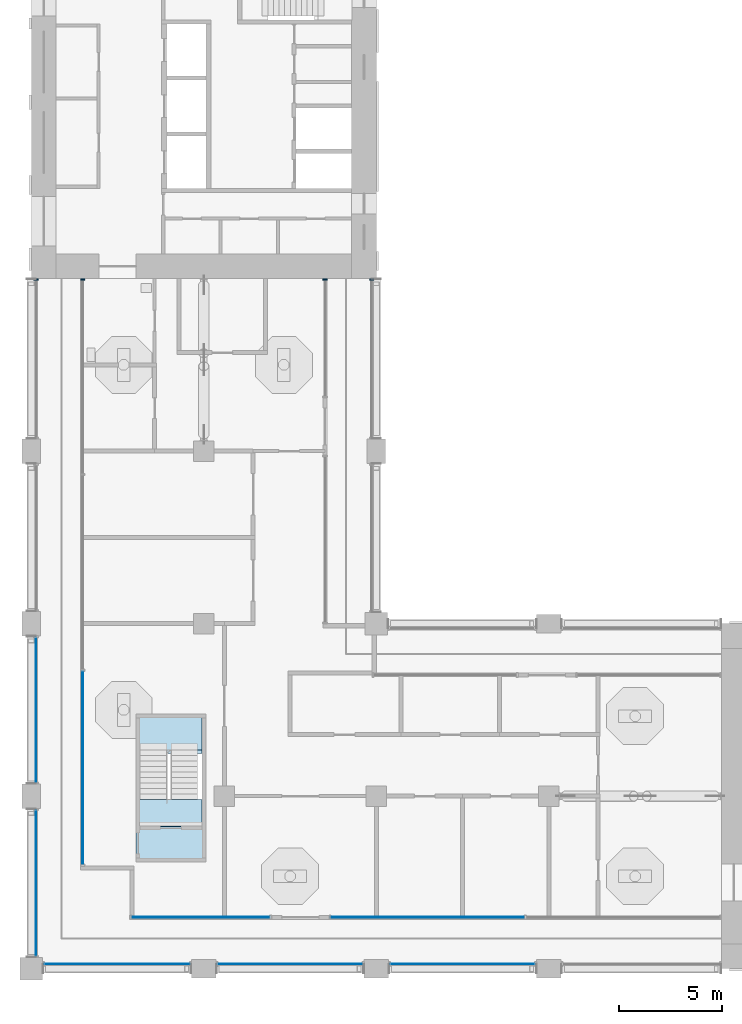
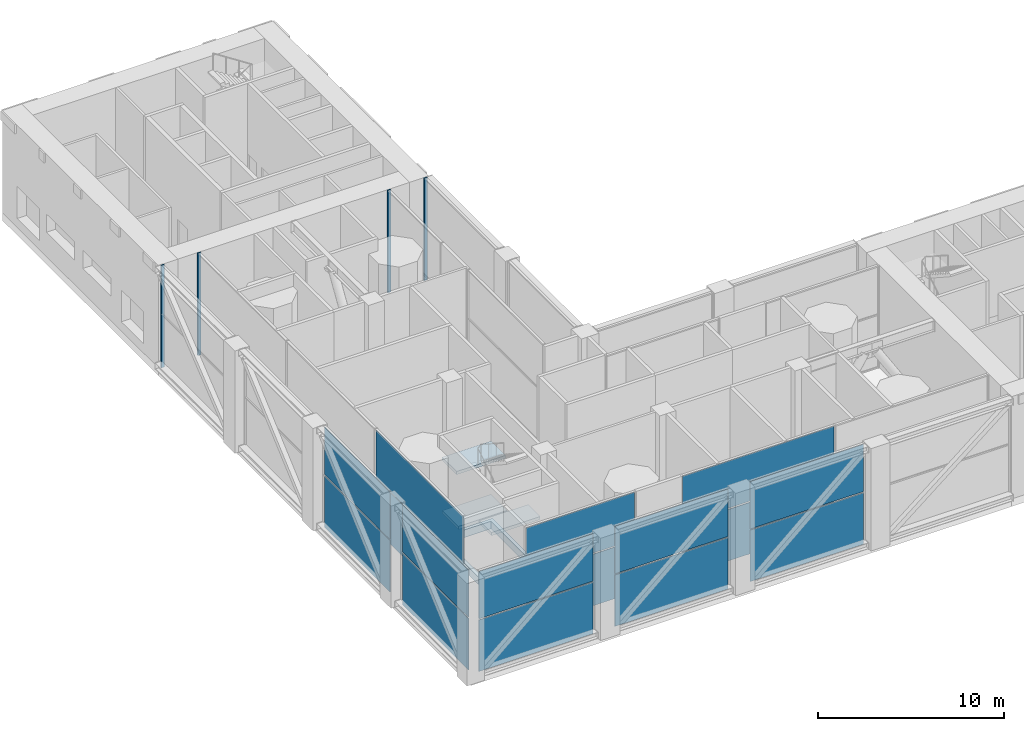
# One storey, part 5 of 20: 16 plates, 4 members, 4 slabs, 12 elements without a shape of their own.
"""IFC4 building model written with IfcOpenShell, lengths in metres."""

from ifc_helpers import new_model, si_unit, direction, frame, origin, origin_2d, place, context, subcontext, project, spatial, polyline, rectangle, outline, extrude, material, layer, layer_set, material_profile, profile_set, type_object, element, aggregate, save


model = new_model("IFC4")

# Units and contexts
model_context = context("Model", 3, precision=1e-05, world=origin(), true_north=direction((0.0, 1.0)))
body_context = subcontext(model_context, "Body", "Model", "MODEL_VIEW")
ifc_project = project(units=[si_unit("LENGTHUNIT", "METRE"), si_unit("AREAUNIT", "SQUARE_METRE"), si_unit("VOLUMEUNIT", "CUBIC_METRE"), si_unit("PLANEANGLEUNIT", "RADIAN"), si_unit("MASSUNIT", "GRAM", prefix="KILO")], contexts=[model_context])

# Site, building, storey
site_placement = place(None, origin())
site = spatial("IfcSite", under=ifc_project, at=site_placement, CompositionType="ELEMENT")
building_placement = place(site_placement, origin())
building = spatial("IfcBuilding", under=site, at=building_placement, Name="Vermilion Gate Residences", CompositionType="ELEMENT")
storey_placement = place(building_placement, frame((0.0, 0.0, 207.199951171875)))
storey = spatial("IfcBuildingStorey", under=building, at=storey_placement, Name="L54", CompositionType="ELEMENT", Elevation=207.199951171875)

# Curtain wall, member
ifc_material_1 = material(Name="Aluminium and glass", Category="aluminium")
curtain_wall_type = type_object("IfcCurtainWallType", Name="SKY GARDEN GLAZING CURTAIN WALL", PredefinedType="NOTDEFINED", material=ifc_material_1)
curtain_wall_1_placement = place(storey_placement, origin())
curtain_wall_1 = element("IfcCurtainWall", 1, at=curtain_wall_1_placement, inside=storey, type_object=curtain_wall_type, Name="Sky Garden Glazing 0", PredefinedType="NOTDEFINED")
ifc_material_2 = material(Name="Aluminium", Category="aluminium")
ifc_material_profile = material_profile(ifc_material_2, rectangle(XDim=0.199951171875, YDim=0.080078125, at=origin_2d()), Name="MULLION 80 X 200")
ifc_profile_set = profile_set([ifc_material_profile], Name="Aluminium")
member_type = type_object("IfcMemberType", Name="SKY GARDEN GLAZING MULLION 80 X 200", PredefinedType="MULLION", material=ifc_profile_set)
member_1_placement = place(storey_placement, frame((10.89990234375, 41.9599609375, 0.0), z_axis=(0.0, 0.0, 1.0), x_axis=(1.0, 0.0, 0.0)))
member_1 = element("IfcMember", 2, at=member_1_placement, type_object=member_type, Name="ECW3 mullion 1", PredefinedType="MULLION", context=body_context, shape_type="SweptSolid", body=[
    extrude(rectangle(XDim=0.199951171875, YDim=0.080078125, at=origin_2d()), origin(), (0.0, 0.0, 1.0), 6.719970703125),
])

curtain_wall_2_placement = place(storey_placement, origin())
curtain_wall_2 = element("IfcCurtainWall", 3, at=curtain_wall_2_placement, inside=storey, type_object=curtain_wall_type, Name="Sky Garden Glazing 72", PredefinedType="NOTDEFINED")
member_2_placement = place(storey_placement, frame((22.699951171875, 41.9599609375, 0.0), z_axis=(0.0, 0.0, 1.0), x_axis=(-1.0, 0.0, 0.0)))
member_2 = element("IfcMember", 4, at=member_2_placement, type_object=member_type, Name="ECW3 mullion 2", PredefinedType="MULLION", context=body_context, shape_type="SweptSolid", body=[
    extrude(rectangle(XDim=0.199951171875, YDim=0.080078125, at=origin_2d()), origin(), (0.0, 0.0, 1.0), 6.719970703125),
])
aggregate(curtain_wall_2, [member_2])

curtain_wall_3_placement = place(storey_placement, origin())
curtain_wall_3 = element("IfcCurtainWall", 5, at=curtain_wall_3_placement, inside=storey, type_object=curtain_wall_type, Name="Sky Garden Glazing 500", PredefinedType="NOTDEFINED")
member_3_placement = place(storey_placement, frame((8.6298828125, 41.9599609375, 0.0), z_axis=(0.0, 0.0, 1.0), x_axis=(1.0, 0.0, 0.0)))
member_3 = element("IfcMember", 6, at=member_3_placement, type_object=member_type, Name="ECW3 mullion 1", PredefinedType="MULLION", context=body_context, shape_type="SweptSolid", body=[
    extrude(rectangle(XDim=0.199951171875, YDim=0.080078125, at=origin_2d()), origin(), (0.0, 0.0, 1.0), 6.719970703125),
])
aggregate(curtain_wall_3, [member_3])

curtain_wall_4_placement = place(storey_placement, origin())
curtain_wall_4 = element("IfcCurtainWall", 7, at=curtain_wall_4_placement, inside=storey, type_object=curtain_wall_type, Name="Sky Garden Glazing 511", PredefinedType="NOTDEFINED")
member_4_placement = place(storey_placement, frame((24.969970703125, 41.9599609375, 0.0), z_axis=(0.0, 0.0, 1.0), x_axis=(-1.0, 0.0, 0.0)))
member_4 = element("IfcMember", 8, at=member_4_placement, type_object=member_type, Name="ECW3 mullion 2", PredefinedType="MULLION", context=body_context, shape_type="SweptSolid", body=[
    extrude(rectangle(XDim=0.199951171875, YDim=0.080078125, at=origin_2d()), origin(), (0.0, 0.0, 1.0), 6.719970703125),
])
aggregate(curtain_wall_4, [member_4])

# Slab
ifc_material_3 = material(Name="Concrete C50", Category="concrete")
ifc_layer_1 = layer(ifc_material_3, 0.5)
ifc_layer_set_1 = layer_set([ifc_layer_1], Name="RC CORE FLOOR SLAB 500 C50")
slab_type_1 = type_object("IfcSlabType", Name="RC CORE FLOOR SLAB 500 C50", PredefinedType="FLOOR", material=ifc_layer_set_1)
slab_1_placement = place(storey_placement, frame((0.0, 0.0, -0.5)))
element("IfcSlab", 9, at=slab_1_placement, inside=storey, type_object=slab_type_1, Name="Apex stair floor slab 54", PredefinedType="FLOOR", context=body_context, shape_type="SweptSolid", body=[
    extrude(outline(polyline([(13.5, 13.60009765625), (16.89990234375, 13.60009765625), (16.89990234375, 20.800048828125), (13.5, 20.800048828125), (13.5, 13.60009765625)]), holes=[polyline([(16.699951171875, 20.60009765625), (16.699951171875, 16.449951171875), (13.699951171875, 16.449951171875), (13.699951171875, 20.60009765625), (16.699951171875, 20.60009765625)])]), origin(), (0.0, 0.0, 1.0), 0.5),
])

# Plate
ifc_material_4 = material(Name="Clear laminated glass", Category="glass")
ifc_layer_2 = layer(ifc_material_4, 0.035888671875)
ifc_layer_set_2 = layer_set([ifc_layer_2], Name="SKY GARDEN GLAZING GLASS PANEL 36")
plate_type = type_object("IfcPlateType", Name="SKY GARDEN GLAZING GLASS PANEL 36", PredefinedType="CURTAIN_PANEL", material=ifc_layer_set_2)
plate_1_placement = place(storey_placement, frame((10.89990234375, 18.186767578125, 0.080078125), z_axis=(0.0, 0.0, 1.0), x_axis=(0.0, -1.0, 0.0)))
plate_1 = element("IfcPlate", 10, at=plate_1_placement, type_object=plate_type, Name="ECW3 panel 3.1", PredefinedType="CURTAIN_PANEL", context=body_context, shape_type="SweptSolid", body=[
    extrude(rectangle(XDim=9.413330078125, YDim=0.035888671875, at=origin_2d()), origin(), (0.0, 0.0, 1.0), 3.3798828125),
])

plate_2_placement = place(storey_placement, frame((10.89990234375, 18.186767578125, 3.5400390625), z_axis=(0.0, 0.0, 1.0), x_axis=(0.0, -1.0, 0.0)))
plate_2 = element("IfcPlate", 11, at=plate_2_placement, type_object=plate_type, Name="ECW3 panel 3.2", PredefinedType="CURTAIN_PANEL", context=body_context, shape_type="SweptSolid", body=[
    extrude(rectangle(XDim=9.413330078125, YDim=0.035888671875, at=origin_2d()), origin(), (0.0, 0.0, 1.0), 3.10009765625),
])

aggregate(curtain_wall_1, [member_1, plate_1, plate_2])

# Curtain wall, plates
curtain_wall_5_placement = place(storey_placement, origin())
curtain_wall_5 = element("IfcCurtainWall", 12, at=curtain_wall_5_placement, inside=storey, type_object=curtain_wall_type, Name="Sky Garden Glazing 30", PredefinedType="NOTDEFINED")
plate_3_placement = place(storey_placement, frame((16.64990234375, 10.89990234375, 0.080078125), z_axis=(0.0, 0.0, 1.0), x_axis=(1.0, 0.0, 0.0)))
plate_3 = element("IfcPlate", 13, at=plate_3_placement, type_object=plate_type, Name="ECW3 panel 1.1", PredefinedType="CURTAIN_PANEL", context=body_context, shape_type="SweptSolid", body=[
    extrude(rectangle(XDim=6.739990234375, YDim=0.035888671875, at=origin_2d()), origin(), (0.0, 0.0, 1.0), 3.3798828125),
])
plate_4_placement = place(storey_placement, frame((16.64990234375, 10.89990234375, 3.5400390625), z_axis=(0.0, 0.0, 1.0), x_axis=(1.0, 0.0, 0.0)))
plate_4 = element("IfcPlate", 14, at=plate_4_placement, type_object=plate_type, Name="ECW3 panel 1.2", PredefinedType="CURTAIN_PANEL", context=body_context, shape_type="SweptSolid", body=[
    extrude(rectangle(XDim=6.739990234375, YDim=0.035888671875, at=origin_2d()), origin(), (0.0, 0.0, 1.0), 3.10009765625),
])
aggregate(curtain_wall_5, [plate_3, plate_4])

curtain_wall_6_placement = place(storey_placement, origin())
curtain_wall_6 = element("IfcCurtainWall", 15, at=curtain_wall_6_placement, inside=storey, type_object=curtain_wall_type, Name="Sky Garden Glazing 32", PredefinedType="NOTDEFINED")
plate_5_placement = place(storey_placement, frame((27.695068359375, 10.89990234375, 0.080078125), z_axis=(0.0, 0.0, 1.0), x_axis=(1.0, 0.0, 0.0)))
plate_5 = element("IfcPlate", 16, at=plate_5_placement, type_object=plate_type, Name="ECW3 panel 1.1", PredefinedType="CURTAIN_PANEL", context=body_context, shape_type="SweptSolid", body=[
    extrude(rectangle(XDim=9.429931640625, YDim=0.035888671875, at=origin_2d()), origin(), (0.0, 0.0, 1.0), 3.3798828125),
])
plate_6_placement = place(storey_placement, frame((27.695068359375, 10.89990234375, 3.5400390625), z_axis=(0.0, 0.0, 1.0), x_axis=(1.0, 0.0, 0.0)))
plate_6 = element("IfcPlate", 17, at=plate_6_placement, type_object=plate_type, Name="ECW3 panel 1.2", PredefinedType="CURTAIN_PANEL", context=body_context, shape_type="SweptSolid", body=[
    extrude(rectangle(XDim=9.429931640625, YDim=0.035888671875, at=origin_2d()), origin(), (0.0, 0.0, 1.0), 3.10009765625),
])
aggregate(curtain_wall_6, [plate_5, plate_6])

curtain_wall_7_placement = place(storey_placement, origin())
curtain_wall_7 = element("IfcCurtainWall", 18, at=curtain_wall_7_placement, inside=storey, type_object=curtain_wall_type, Name="Sky Garden Glazing 502", PredefinedType="NOTDEFINED")
plate_7_placement = place(storey_placement, frame((8.6298828125, 21.0, 0.080078125), z_axis=(0.0, 0.0, 1.0), x_axis=(0.0, -1.0, 0.0)))
plate_7 = element("IfcPlate", 19, at=plate_7_placement, type_object=plate_type, Name="ECW3 panel 1.1", PredefinedType="CURTAIN_PANEL", context=body_context, shape_type="SweptSolid", body=[
    extrude(rectangle(XDim=7.0400390625, YDim=0.035888671875, at=origin_2d()), origin(), (0.0, 0.0, 1.0), 3.3798828125),
])
plate_8_placement = place(storey_placement, frame((8.6298828125, 21.0, 3.5400390625), z_axis=(0.0, 0.0, 1.0), x_axis=(0.0, -1.0, 0.0)))
plate_8 = element("IfcPlate", 20, at=plate_8_placement, type_object=plate_type, Name="ECW3 panel 1.2", PredefinedType="CURTAIN_PANEL", context=body_context, shape_type="SweptSolid", body=[
    extrude(rectangle(XDim=7.0400390625, YDim=0.035888671875, at=origin_2d()), origin(), (0.0, 0.0, 1.0), 3.10009765625),
])
aggregate(curtain_wall_7, [plate_7, plate_8])

curtain_wall_8_placement = place(storey_placement, origin())
curtain_wall_8 = element("IfcCurtainWall", 21, at=curtain_wall_8_placement, inside=storey, type_object=curtain_wall_type, Name="Sky Garden Glazing 503", PredefinedType="NOTDEFINED")
plate_9_placement = place(storey_placement, frame((8.6298828125, 12.574951171875, 0.080078125), z_axis=(0.0, 0.0, 1.0), x_axis=(0.0, -1.0, 0.0)))
plate_9 = element("IfcPlate", 22, at=plate_9_placement, type_object=plate_type, Name="ECW3 panel 1.1", PredefinedType="CURTAIN_PANEL", context=body_context, shape_type="SweptSolid", body=[
    extrude(rectangle(XDim=7.090087890625, YDim=0.035888671875, at=origin_2d()), origin(), (0.0, 0.0, 1.0), 3.3798828125),
])
plate_10_placement = place(storey_placement, frame((8.6298828125, 12.574951171875, 3.5400390625), z_axis=(0.0, 0.0, 1.0), x_axis=(0.0, -1.0, 0.0)))
plate_10 = element("IfcPlate", 23, at=plate_10_placement, type_object=plate_type, Name="ECW3 panel 1.2", PredefinedType="CURTAIN_PANEL", context=body_context, shape_type="SweptSolid", body=[
    extrude(rectangle(XDim=7.090087890625, YDim=0.035888671875, at=origin_2d()), origin(), (0.0, 0.0, 1.0), 3.10009765625),
])
aggregate(curtain_wall_8, [plate_9, plate_10])

curtain_wall_9_placement = place(storey_placement, origin())
curtain_wall_9 = element("IfcCurtainWall", 24, at=curtain_wall_9_placement, inside=storey, type_object=curtain_wall_type, Name="Sky Garden Glazing 504", PredefinedType="NOTDEFINED")
plate_11_placement = place(storey_placement, frame((12.574951171875, 8.6298828125, 0.080078125), z_axis=(0.0, 0.0, 1.0), x_axis=(1.0, 0.0, 0.0)))
plate_11 = element("IfcPlate", 25, at=plate_11_placement, type_object=plate_type, Name="ECW3 panel 1.1", PredefinedType="CURTAIN_PANEL", context=body_context, shape_type="SweptSolid", body=[
    extrude(rectangle(XDim=7.090087890625, YDim=0.035888671875, at=origin_2d()), origin(), (0.0, 0.0, 1.0), 3.3798828125),
])
plate_12_placement = place(storey_placement, frame((12.574951171875, 8.6298828125, 3.5400390625), z_axis=(0.0, 0.0, 1.0), x_axis=(1.0, 0.0, 0.0)))
plate_12 = element("IfcPlate", 26, at=plate_12_placement, type_object=plate_type, Name="ECW3 panel 1.2", PredefinedType="CURTAIN_PANEL", context=body_context, shape_type="SweptSolid", body=[
    extrude(rectangle(XDim=7.090087890625, YDim=0.035888671875, at=origin_2d()), origin(), (0.0, 0.0, 1.0), 3.10009765625),
])
aggregate(curtain_wall_9, [plate_11, plate_12])

curtain_wall_10_placement = place(storey_placement, origin())
curtain_wall_10 = element("IfcCurtainWall", 27, at=curtain_wall_10_placement, inside=storey, type_object=curtain_wall_type, Name="Sky Garden Glazing 505", PredefinedType="NOTDEFINED")
plate_13_placement = place(storey_placement, frame((21.0, 8.6298828125, 0.080078125), z_axis=(0.0, 0.0, 1.0), x_axis=(1.0, 0.0, 0.0)))
plate_13 = element("IfcPlate", 28, at=plate_13_placement, type_object=plate_type, Name="ECW3 panel 1.1", PredefinedType="CURTAIN_PANEL", context=body_context, shape_type="SweptSolid", body=[
    extrude(rectangle(XDim=7.0400390625, YDim=0.035888671875, at=origin_2d()), origin(), (0.0, 0.0, 1.0), 3.3798828125),
])
plate_14_placement = place(storey_placement, frame((21.0, 8.6298828125, 3.5400390625), z_axis=(0.0, 0.0, 1.0), x_axis=(1.0, 0.0, 0.0)))
plate_14 = element("IfcPlate", 29, at=plate_14_placement, type_object=plate_type, Name="ECW3 panel 1.2", PredefinedType="CURTAIN_PANEL", context=body_context, shape_type="SweptSolid", body=[
    extrude(rectangle(XDim=7.0400390625, YDim=0.035888671875, at=origin_2d()), origin(), (0.0, 0.0, 1.0), 3.10009765625),
])
aggregate(curtain_wall_10, [plate_13, plate_14])

curtain_wall_11_placement = place(storey_placement, origin())
curtain_wall_11 = element("IfcCurtainWall", 30, at=curtain_wall_11_placement, inside=storey, type_object=curtain_wall_type, Name="Sky Garden Glazing 506", PredefinedType="NOTDEFINED")
plate_15_placement = place(storey_placement, frame((29.39990234375, 8.6298828125, 0.080078125), z_axis=(0.0, 0.0, 1.0), x_axis=(1.0, 0.0, 0.0)))
plate_15 = element("IfcPlate", 31, at=plate_15_placement, type_object=plate_type, Name="ECW3 panel 1.1", PredefinedType="CURTAIN_PANEL", context=body_context, shape_type="SweptSolid", body=[
    extrude(rectangle(XDim=7.0400390625, YDim=0.035888671875, at=origin_2d()), origin(), (0.0, 0.0, 1.0), 3.3798828125),
])
plate_16_placement = place(storey_placement, frame((29.39990234375, 8.6298828125, 3.5400390625), z_axis=(0.0, 0.0, 1.0), x_axis=(1.0, 0.0, 0.0)))
plate_16 = element("IfcPlate", 32, at=plate_16_placement, type_object=plate_type, Name="ECW3 panel 1.2", PredefinedType="CURTAIN_PANEL", context=body_context, shape_type="SweptSolid", body=[
    extrude(rectangle(XDim=7.0400390625, YDim=0.035888671875, at=origin_2d()), origin(), (0.0, 0.0, 1.0), 3.10009765625),
])
aggregate(curtain_wall_11, [plate_15, plate_16])

# Stair, slabs
ifc_material_5 = material(Name="Concrete C50", Category="concrete")
stair_type = type_object("IfcStairType", Name="SPECIAL ESCAPE STAIR 1300", PredefinedType="HALF_TURN_STAIR", material=ifc_material_5)
stair_placement = place(storey_placement, origin())
stair = element("IfcStair", 33, at=stair_placement, inside=storey, type_object=stair_type, Name="Special escape stair STC1-54", PredefinedType="HALF_TURN_STAIR")
ifc_material_6 = material(Name="Concrete C50", Category="concrete")
ifc_layer_3 = layer(ifc_material_6, 0.199951171875)
ifc_layer_set_3 = layer_set([ifc_layer_3], Name="STAIR LANDING 200 C50")
slab_type_2 = type_object("IfcSlabType", Name="STAIR LANDING 200 C50", PredefinedType="LANDING", material=ifc_layer_set_3)
slab_2_placement = place(storey_placement, frame((0.0, 0.0, 1.550048828125)))
slab_2 = element("IfcSlab", 34, at=slab_2_placement, type_object=slab_type_2, Name="STC1-54 landing 1", PredefinedType="LANDING", context=body_context, shape_type="SweptSolid", body=[
    extrude(outline(polyline([(16.719970703125, 18.8798828125), (16.719970703125, 20.6201171875), (13.679931640625, 20.6201171875), (13.679931640625, 18.8798828125), (16.719970703125, 18.8798828125)])), origin(), (0.0, 0.0, 1.0), 0.199951171875),
])
slab_3_placement = place(storey_placement, frame((0.0, 0.0, 3.300048828125)))
slab_3 = element("IfcSlab", 35, at=slab_3_placement, type_object=slab_type_2, Name="STC1-54 landing 2", PredefinedType="LANDING", context=body_context, shape_type="SweptSolid", body=[
    extrude(outline(polyline([(16.719970703125, 15.330078125), (16.719970703125, 16.6298828125), (13.679931640625, 16.6298828125), (13.679931640625, 15.330078125), (16.719970703125, 15.330078125)])), origin(), (0.0, 0.0, 1.0), 0.199951171875),
])
slab_4_placement = place(storey_placement, frame((0.0, 0.0, 5.050048828125)))
slab_4 = element("IfcSlab", 36, at=slab_4_placement, type_object=slab_type_2, Name="STC1-54 landing 3", PredefinedType="LANDING", context=body_context, shape_type="SweptSolid", body=[
    extrude(outline(polyline([(16.719970703125, 19.06005859375), (16.719970703125, 20.6201171875), (13.679931640625, 20.6201171875), (13.679931640625, 19.06005859375), (16.719970703125, 19.06005859375)])), origin(), (0.0, 0.0, 1.0), 0.199951171875),
])
aggregate(stair, [slab_2, slab_3, slab_4])

save(model, "model.ifc")
